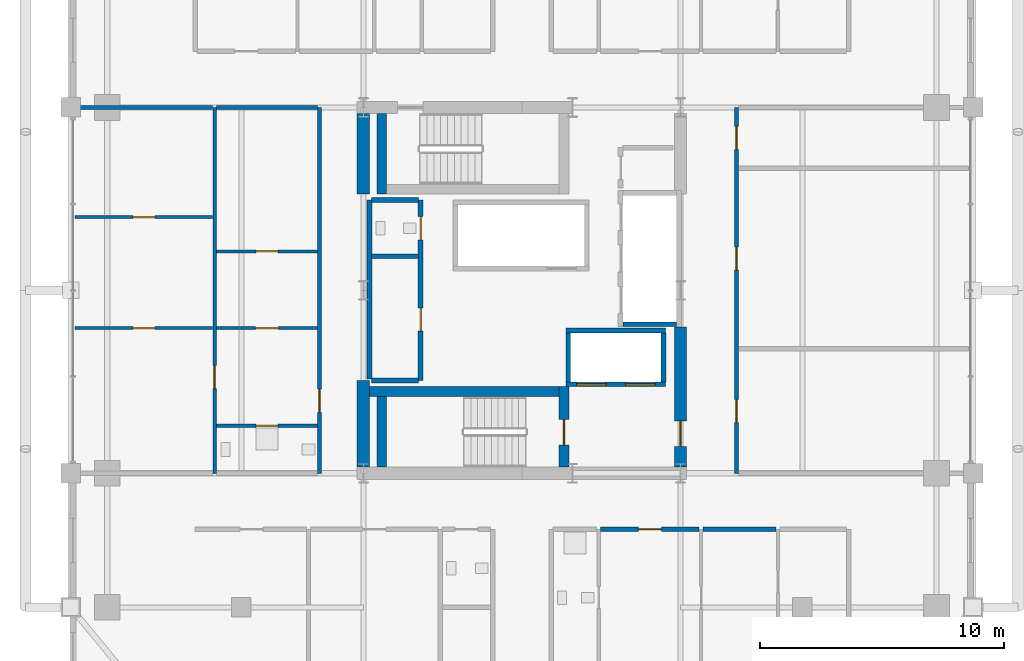
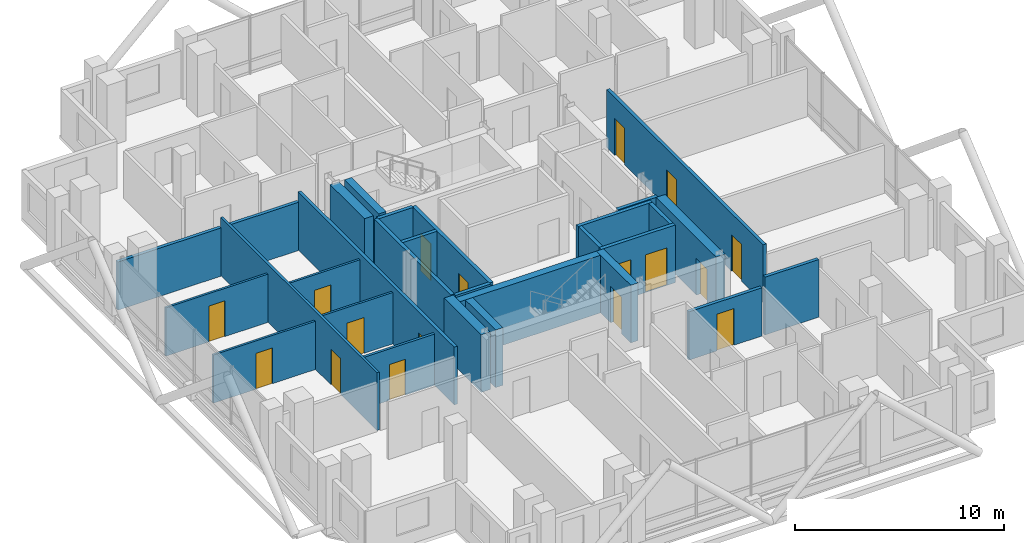
# One storey, part 21 of 26: 29 walls, 17 doors, 17 openings.
"""IFC4 building model written with IfcOpenShell, lengths in metres."""

from ifc_helpers import new_model, si_unit, direction, frame, frame_2d, origin, place, context, subcontext, project, spatial, rectangle, extrude, material, layer, layer_set, type_object, element, fill, save


model = new_model("IFC4")

# Units and contexts
model_context = context("Model", 3, precision=1e-05, world=origin(), true_north=direction((0.0, 1.0)))
body_context = subcontext(model_context, "Body", "Model", "MODEL_VIEW")
ifc_project = project(units=[si_unit("LENGTHUNIT", "METRE"), si_unit("AREAUNIT", "SQUARE_METRE"), si_unit("VOLUMEUNIT", "CUBIC_METRE"), si_unit("PLANEANGLEUNIT", "RADIAN"), si_unit("MASSUNIT", "GRAM", prefix="KILO")], contexts=[model_context])

# Site, building, storey
site_placement = place(None, origin())
site = spatial("IfcSite", under=ifc_project, at=site_placement, CompositionType="ELEMENT")
building_placement = place(site_placement, origin())
building = spatial("IfcBuilding", under=site, at=building_placement, Name="Barlavira Tower and Art Museum", CompositionType="ELEMENT")
storey_placement = place(building_placement, frame((0.0, 0.0, 187.199951171875)))
storey = spatial("IfcBuildingStorey", under=building, at=storey_placement, Name="L48", CompositionType="ELEMENT", Elevation=187.199951171875)

# Wall, opening, door
ifc_material_1 = material(Name="Gypsum acoustic stud partition", Category="gypsum")
ifc_layer_1 = layer(ifc_material_1, 0.1201171875, Name="Gypsum acoustic stud partition")
ifc_layer_set_1 = layer_set([ifc_layer_1], Name="Gypsum acoustic stud partition")
wall_type_1 = type_object("IfcWallType", Name="Apartment Internal Acoustic Partition 120", PredefinedType="PARTITIONING", material=ifc_layer_set_1)
wall_1_placement = place(storey_placement, frame((-18.320068359375, -1.550048828125, 0.0), z_axis=(0.0, 0.0, 1.0), x_axis=(1.0, 0.0, 0.0)))
wall_1 = element("IfcWall", 1, at=wall_1_placement, inside=storey, type_object=wall_type_1, Name="L48 Partition Wall 47", PredefinedType="PARTITIONING", context=body_context, shape_type="SweptSolid", body=[
    extrude(rectangle(XDim=5.64013671875, YDim=0.1201171875, at=frame_2d((2.820068359375, 0.0))), origin(), (0.0, 0.0, 1.0), 2.825927734375),
])
opening_1_placement = place(wall_1_placement, frame((2.3701171875, 0.0, 0.0)))
opening_1 = element("IfcOpeningElement", 2, at=opening_1_placement, cuts=wall_1, Name="Opening D-01", PredefinedType="OPENING", context=body_context, shape_type="SweptSolid", body=[
    extrude(rectangle(XDim=0.89990234375, YDim=2.10009765625, at=frame_2d((0.449951171875, 1.050048828125))), frame((0.0, 0.070068359375, 0.0), z_axis=(0.0, -1.0, 0.0), x_axis=(1.0, 0.0, 0.0)), (0.0, 0.0, 1.0), 0.14013671875),
])
ifc_material_2 = material(Name="Engineered coastal hardwood", Category="wood")
door_type_1 = type_object("IfcDoorType", Name="Internal Bedroom Timber Flush Door 900x2100", OperationType="NOTDEFINED", PredefinedType="DOOR", material=ifc_material_2)
door_1_placement = place(opening_1_placement, origin())
door_1 = element("IfcDoor", 3, at=door_1_placement, inside=storey, type_object=door_type_1, Name="Apartment W1 Bedroom 1 Door", OperationType="SINGLE_SWING_RIGHT", OverallHeight=2.10009765625, OverallWidth=0.89990234375, PredefinedType="DOOR", context=body_context, shape_type="SweptSolid", body=[
    extrude(rectangle(XDim=0.89990234375, YDim=2.10009765625, at=frame_2d((0.449951171875, 1.050048828125))), frame((0.0, 0.02490234375, 0.0), z_axis=(0.0, -1.0, 0.0), x_axis=(1.0, 0.0, 0.0)), (0.0, 0.0, 1.0), 0.050048828125),
])
fill(opening_1, door_1)

wall_2_placement = place(storey_placement, frame((-12.52001953125, -1.550048828125, 0.0), z_axis=(0.0, 0.0, 1.0), x_axis=(1.0, 0.0, 0.0)))
wall_2 = element("IfcWall", 4, at=wall_2_placement, inside=storey, type_object=wall_type_1, Name="L48 Partition Wall 48", PredefinedType="PARTITIONING", context=body_context, shape_type="SweptSolid", body=[
    extrude(rectangle(XDim=4.14013671875, YDim=0.1201171875, at=frame_2d((2.070068359375, 0.0))), origin(), (0.0, 0.0, 1.0), 3.010986328125),
])
opening_2_placement = place(wall_2_placement, frame((1.594970703125, 0.0, 0.0)))
opening_2 = element("IfcOpeningElement", 5, at=opening_2_placement, cuts=wall_2, Name="Opening D-02", PredefinedType="OPENING", context=body_context, shape_type="SweptSolid", body=[
    extrude(rectangle(XDim=0.949951171875, YDim=2.10009765625, at=frame_2d((0.47509765625, 1.050048828125))), frame((0.0, 0.070068359375, 0.0), z_axis=(0.0, -1.0, 0.0), x_axis=(1.0, 0.0, 0.0)), (0.0, 0.0, 1.0), 0.14013671875),
])
door_type_2 = type_object("IfcDoorType", Name="Living and Salon Glazed-Leaf Door 950x2100", OperationType="NOTDEFINED", PredefinedType="DOOR", material=ifc_material_2)
door_2_placement = place(opening_2_placement, origin())
door_2 = element("IfcDoor", 6, at=door_2_placement, inside=storey, type_object=door_type_2, Name="Apartment W1 Kitchen Door", OperationType="SINGLE_SWING_LEFT", OverallHeight=2.10009765625, OverallWidth=0.949951171875, PredefinedType="DOOR", context=body_context, shape_type="SweptSolid", body=[
    extrude(rectangle(XDim=0.949951171875, YDim=2.10009765625, at=frame_2d((0.47509765625, 1.050048828125))), frame((0.0, 0.02490234375, 0.0), z_axis=(0.0, -1.0, 0.0), x_axis=(1.0, 0.0, 0.0)), (0.0, 0.0, 1.0), 0.050048828125),
])
fill(opening_2, door_2)

wall_3_placement = place(storey_placement, frame((-12.52001953125, 1.60009765625, 0.0), z_axis=(0.0, 0.0, 1.0), x_axis=(1.0, 0.0, 0.0)))
wall_3 = element("IfcWall", 7, at=wall_3_placement, inside=storey, type_object=wall_type_1, Name="L48 Partition Wall 50", PredefinedType="PARTITIONING", context=body_context, shape_type="SweptSolid", body=[
    extrude(rectangle(XDim=4.14013671875, YDim=0.1201171875, at=frame_2d((2.070068359375, 0.0))), origin(), (0.0, 0.0, 1.0), 3.010986328125),
])
opening_3_placement = place(wall_3_placement, frame((1.6201171875, 0.0, 0.0)))
opening_3 = element("IfcOpeningElement", 8, at=opening_3_placement, cuts=wall_3, Name="Opening D-01", PredefinedType="OPENING", context=body_context, shape_type="SweptSolid", body=[
    extrude(rectangle(XDim=0.89990234375, YDim=2.10009765625, at=frame_2d((0.449951171875, 1.050048828125))), frame((0.0, 0.070068359375, 0.0), z_axis=(0.0, -1.0, 0.0), x_axis=(1.0, 0.0, 0.0)), (0.0, 0.0, 1.0), 0.14013671875),
])
door_3_placement = place(opening_3_placement, origin())
door_3 = element("IfcDoor", 9, at=door_3_placement, inside=storey, type_object=door_type_1, Name="Apartment W1 Walk-In Dressing Room Door", OperationType="SINGLE_SWING_RIGHT", OverallHeight=2.10009765625, OverallWidth=0.89990234375, PredefinedType="DOOR", context=body_context, shape_type="SweptSolid", body=[
    extrude(rectangle(XDim=0.89990234375, YDim=2.10009765625, at=frame_2d((0.449951171875, 1.050048828125))), frame((0.0, 0.02490234375, 0.0), z_axis=(0.0, -1.0, 0.0), x_axis=(1.0, 0.0, 0.0)), (0.0, 0.0, 1.0), 0.050048828125),
])
fill(opening_3, door_3)

wall_4_placement = place(storey_placement, frame((-18.320068359375, 3.0, 0.0), z_axis=(0.0, 0.0, 1.0), x_axis=(1.0, 0.0, 0.0)))
wall_4 = element("IfcWall", 10, at=wall_4_placement, inside=storey, type_object=wall_type_1, Name="L48 Partition Wall 51", PredefinedType="PARTITIONING", context=body_context, shape_type="SweptSolid", body=[
    extrude(rectangle(XDim=5.64013671875, YDim=0.1201171875, at=frame_2d((2.820068359375, 0.0))), origin(), (0.0, 0.0, 1.0), 2.825927734375),
])
opening_4_placement = place(wall_4_placement, frame((2.3701171875, 0.0, 0.0)))
opening_4 = element("IfcOpeningElement", 11, at=opening_4_placement, cuts=wall_4, Name="Opening D-01", PredefinedType="OPENING", context=body_context, shape_type="SweptSolid", body=[
    extrude(rectangle(XDim=0.89990234375, YDim=2.10009765625, at=frame_2d((0.449951171875, 1.050048828125))), frame((0.0, 0.070068359375, 0.0), z_axis=(0.0, -1.0, 0.0), x_axis=(1.0, 0.0, 0.0)), (0.0, 0.0, 1.0), 0.14013671875),
])
door_4_placement = place(opening_4_placement, origin())
door_4 = element("IfcDoor", 12, at=door_4_placement, inside=storey, type_object=door_type_1, Name="Apartment W1 Bedroom 2 Door", OperationType="SINGLE_SWING_LEFT", OverallHeight=2.10009765625, OverallWidth=0.89990234375, PredefinedType="DOOR", context=body_context, shape_type="SweptSolid", body=[
    extrude(rectangle(XDim=0.89990234375, YDim=2.10009765625, at=frame_2d((0.449951171875, 1.050048828125))), frame((0.0, 0.02490234375, 0.0), z_axis=(0.0, -1.0, 0.0), x_axis=(1.0, 0.0, 0.0)), (0.0, 0.0, 1.0), 0.050048828125),
])
fill(opening_4, door_4)

# Walls
ifc_material_3 = material(Name="Concrete C60", Category="concrete")
ifc_layer_2 = layer(ifc_material_3, 0.5, Name="Concrete C60")
ifc_layer_set_2 = layer_set([ifc_layer_2], Name="Concrete C60")
wall_type_2 = type_object("IfcWallType", Name="Core Structural Shear Wall 500 Concrete C60", PredefinedType="SHEAR", material=ifc_layer_set_2)
wall_5_placement = place(storey_placement, frame((-6.5, -7.25, 0.0), z_axis=(0.0, 0.0, 1.0), x_axis=(0.0, 1.0, 0.0)))
element("IfcWall", 13, at=wall_5_placement, inside=storey, type_object=wall_type_2, Name="L48 Core Shear Wall CS-W1", PredefinedType="SHEAR", context=body_context, shape_type="SweptSolid", body=[
    extrude(rectangle(XDim=3.550048828125, YDim=0.5, at=frame_2d((1.77490234375, 0.0))), origin(), (0.0, 0.0, 1.0), 3.380126953125),
])
wall_6_placement = place(storey_placement, frame((-6.5, 3.949951171875, 0.0), z_axis=(0.0, 0.0, 1.0), x_axis=(0.0, 1.0, 0.0)))
element("IfcWall", 14, at=wall_6_placement, inside=storey, type_object=wall_type_2, Name="L48 Core Shear Wall CS-W2", PredefinedType="SHEAR", context=body_context, shape_type="SweptSolid", body=[
    extrude(rectangle(XDim=3.300048828125, YDim=0.5, at=frame_2d((1.64990234375, 0.0))), origin(), (0.0, 0.0, 1.0), 3.380126953125),
])

# Wall, opening, door
wall_7_placement = place(storey_placement, frame((6.5, -7.25, 0.0), z_axis=(0.0, 0.0, 1.0), x_axis=(0.0, 1.0, 0.0)))
wall_7 = element("IfcWall", 15, at=wall_7_placement, inside=storey, type_object=wall_type_2, Name="L48 Core Shear Wall CS-E1", PredefinedType="SHEAR", context=body_context, shape_type="SweptSolid", body=[
    extrude(rectangle(XDim=5.75, YDim=0.5, at=frame_2d((2.875, 0.0))), origin(), (0.0, 0.0, 1.0), 3.380126953125),
])
opening_5_placement = place(wall_7_placement, frame((0.85009765625, 0.0, 0.0)))
opening_5 = element("IfcOpeningElement", 16, at=opening_5_placement, cuts=wall_7, Name="Opening FD-90", PredefinedType="OPENING", context=body_context, shape_type="SweptSolid", body=[
    extrude(rectangle(XDim=1.050048828125, YDim=2.14990234375, at=frame_2d((0.52490234375, 1.074951171875))), frame((0.0, 0.260009765625, 0.0), z_axis=(0.0, -1.0, 0.0), x_axis=(1.0, 0.0, 0.0)), (0.0, 0.0, 1.0), 0.52001953125),
])
ifc_material_4 = material(Name="Brushed stainless steel", Category="steel")
door_type_3 = type_object("IfcDoorType", Name="Stair and Refuge Fire Door 1050x2150 FD90S", OperationType="NOTDEFINED", PredefinedType="DOOR", material=ifc_material_4)
door_5_placement = place(opening_5_placement, origin())
door_5 = element("IfcDoor", 17, at=door_5_placement, inside=storey, type_object=door_type_3, Name="L48 Firefighting Lobby Entry Fire Door", OperationType="SINGLE_SWING_LEFT", OverallHeight=2.14990234375, OverallWidth=1.050048828125, PredefinedType="DOOR", context=body_context, shape_type="SweptSolid", body=[
    extrude(rectangle(XDim=1.050048828125, YDim=2.14990234375, at=frame_2d((0.52490234375, 1.074951171875))), frame((0.0, 0.02490234375, 0.0), z_axis=(0.0, -1.0, 0.0), x_axis=(1.0, 0.0, 0.0)), (0.0, 0.0, 1.0), 0.050048828125),
])
fill(opening_5, door_5)

# Wall
ifc_material_5 = material(Name="Autoclaved aerated concrete masonry", Category="masonry")
ifc_layer_3 = layer(ifc_material_5, 0.199951171875, Name="Autoclaved aerated concrete masonry")
ifc_layer_set_3 = layer_set([ifc_layer_3], Name="Autoclaved aerated concrete masonry")
wall_type_3 = type_object("IfcWallType", Name="Fire Compartment and Shaft Wall 200", PredefinedType="SOLIDWALL", material=ifc_layer_set_3)
wall_8_placement = place(storey_placement, frame((4.14990234375, -1.389892578125, 0.0), z_axis=(0.0, 0.0, 1.0), x_axis=(1.0, 0.0, 0.0)))
element("IfcWall", 18, at=wall_8_placement, inside=storey, type_object=wall_type_3, Name="L48 Mid-Rise Lift South Shaft Wall", PredefinedType="SOLIDWALL", context=body_context, shape_type="SweptSolid", body=[
    extrude(rectangle(XDim=2.2001953125, YDim=0.199951171875, at=frame_2d((1.10009765625, 0.0))), origin(), (0.0, 0.0, 1.0), 3.380126953125),
])

# Wall, openings, doors
wall_9_placement = place(storey_placement, frame((1.800048828125, -3.85009765625, 0.0), z_axis=(0.0, 0.0, 1.0), x_axis=(1.0, 0.0, 0.0)))
wall_9 = element("IfcWall", 19, at=wall_9_placement, inside=storey, type_object=wall_type_3, Name="L48 Firefighting Lift Front Shaft Wall", PredefinedType="SOLIDWALL", context=body_context, shape_type="SweptSolid", body=[
    extrude(rectangle(XDim=4.099853515625, YDim=0.199951171875, at=frame_2d((2.0498046875, 0.0))), origin(), (0.0, 0.0, 1.0), 3.380126953125),
])
opening_6_placement = place(wall_9_placement, frame((0.449951171875, 0.0, 0.0)))
opening_6 = element("IfcOpeningElement", 20, at=opening_6_placement, cuts=wall_9, Name="Opening LD-F", PredefinedType="OPENING", context=body_context, shape_type="SweptSolid", body=[
    extrude(rectangle(XDim=1.199951171875, YDim=2.199951171875, at=frame_2d((0.60009765625, 1.10009765625))), frame((0.0, 0.10986328125, 0.0), z_axis=(0.0, -1.0, 0.0), x_axis=(1.0, 0.0, 0.0)), (0.0, 0.0, 1.0), 0.219970703125),
])
opening_7_placement = place(wall_9_placement, frame((2.449951171875, 0.0, 0.0)))
opening_7 = element("IfcOpeningElement", 21, at=opening_7_placement, cuts=wall_9, Name="Opening LD-F", PredefinedType="OPENING", context=body_context, shape_type="SweptSolid", body=[
    extrude(rectangle(XDim=1.199951171875, YDim=2.199951171875, at=frame_2d((0.60009765625, 1.10009765625))), frame((0.0, 0.10986328125, 0.0), z_axis=(0.0, -1.0, 0.0), x_axis=(1.0, 0.0, 0.0)), (0.0, 0.0, 1.0), 0.219970703125),
])
door_type_4 = type_object("IfcDoorType", Name="Firefighting and Service Lift Sliding Door 1200x2200 FD120", OperationType="NOTDEFINED", PredefinedType="DOOR", material=ifc_material_4)
door_6_placement = place(opening_6_placement, origin())
door_6 = element("IfcDoor", 22, at=door_6_placement, inside=storey, type_object=door_type_4, Name="L48 Firefighting Lift FF1 Sliding Door", OperationType="DOUBLE_DOOR_SLIDING", OverallHeight=2.199951171875, OverallWidth=1.199951171875, PredefinedType="DOOR", context=body_context, shape_type="SweptSolid", body=[
    extrude(rectangle(XDim=1.199951171875, YDim=2.199951171875, at=frame_2d((0.60009765625, 1.10009765625))), frame((0.0, 0.02490234375, 0.0), z_axis=(0.0, -1.0, 0.0), x_axis=(1.0, 0.0, 0.0)), (0.0, 0.0, 1.0), 0.050048828125),
])
fill(opening_6, door_6)
door_7_placement = place(opening_7_placement, origin())
door_7 = element("IfcDoor", 23, at=door_7_placement, inside=storey, type_object=door_type_4, Name="L48 Firefighting Lift FF2 Sliding Door", OperationType="DOUBLE_DOOR_SLIDING", OverallHeight=2.199951171875, OverallWidth=1.199951171875, PredefinedType="DOOR", context=body_context, shape_type="SweptSolid", body=[
    extrude(rectangle(XDim=1.199951171875, YDim=2.199951171875, at=frame_2d((0.60009765625, 1.10009765625))), frame((0.0, 0.02490234375, 0.0), z_axis=(0.0, -1.0, 0.0), x_axis=(1.0, 0.0, 0.0)), (0.0, 0.0, 1.0), 0.050048828125),
])
fill(opening_7, door_7)

# Walls
wall_10_placement = place(storey_placement, frame((1.800048828125, -1.64990234375, 0.0), z_axis=(0.0, 0.0, 1.0), x_axis=(1.0, 0.0, 0.0)))
element("IfcWall", 24, at=wall_10_placement, inside=storey, type_object=wall_type_3, Name="L48 Firefighting Lift Back Shaft Wall", PredefinedType="SOLIDWALL", context=body_context, shape_type="SweptSolid", body=[
    extrude(rectangle(XDim=4.099853515625, YDim=0.199951171875, at=frame_2d((2.0498046875, 0.0))), origin(), (0.0, 0.0, 1.0), 3.380126953125),
])
for number, where, z_axis, x_axis, name in (
    (25, (1.89990234375, -3.75, 0.0), (0.0, 0.0, 1.0), (0.0, 1.0, 0.0), "L48 Firefighting Lift West Shaft Wall"),
    (26, (5.800048828125, -3.75, 0.0), (0.0, 0.0, 1.0), (0.0, 1.0, 0.0), "L48 Firefighting Lift East Shaft Wall"),
):
    element("IfcWall", number, at=place(storey_placement, frame(where, z_axis=z_axis, x_axis=x_axis)), inside=storey, type_object=wall_type_3, Name=name, PredefinedType="SOLIDWALL", context=body_context, shape_type="SweptSolid", body=[
        extrude(rectangle(XDim=2.0, YDim=0.199951171875, at=frame_2d((1.0, 0.0))), origin(), (0.0, 0.0, 1.0), 3.380126953125),
    ])
wall_11_placement = place(storey_placement, frame((-6.25, -3.639892578125, 0.0), z_axis=(0.0, 0.0, 1.0), x_axis=(0.0, 1.0, 0.0)))
element("IfcWall", 27, at=wall_11_placement, inside=storey, type_object=wall_type_3, Name="L48 Partition Wall 6", PredefinedType="SOLIDWALL", context=body_context, shape_type="SweptSolid", body=[
    extrude(rectangle(XDim=7.33984375, YDim=0.199951171875, at=frame_2d((3.669921875, 0.0))), origin(), (0.0, 0.0, 1.0), 3.380126953125),
])

# Wall, openings, doors
wall_12_placement = place(storey_placement, frame((-4.14990234375, -3.699951171875, 0.0), z_axis=(0.0, 0.0, 1.0), x_axis=(0.0, 1.0, 0.0)))
wall_12 = element("IfcWall", 28, at=wall_12_placement, inside=storey, type_object=wall_type_3, Name="L48 Partition Wall 8", PredefinedType="SOLIDWALL", context=body_context, shape_type="SweptSolid", body=[
    extrude(rectangle(XDim=7.39990234375, YDim=0.199951171875, at=frame_2d((3.699951171875, 0.0))), origin(), (0.0, 0.0, 1.0), 3.380126953125),
])
opening_8_placement = place(wall_12_placement, frame((2.02490234375, 0.0, 0.0)))
opening_8 = element("IfcOpeningElement", 29, at=opening_8_placement, cuts=wall_12, Name="Opening FD-60", PredefinedType="OPENING", context=body_context, shape_type="SweptSolid", body=[
    extrude(rectangle(XDim=0.949951171875, YDim=2.14990234375, at=frame_2d((0.47509765625, 1.074951171875))), frame((0.0, 0.10986328125, 0.0), z_axis=(0.0, -1.0, 0.0), x_axis=(1.0, 0.0, 0.0)), (0.0, 0.0, 1.0), 0.219970703125),
])
opening_9_placement = place(wall_12_placement, frame((5.77490234375, 0.0, 0.0)))
opening_9 = element("IfcOpeningElement", 30, at=opening_9_placement, cuts=wall_12, Name="Opening FD-60", PredefinedType="OPENING", context=body_context, shape_type="SweptSolid", body=[
    extrude(rectangle(XDim=0.949951171875, YDim=2.14990234375, at=frame_2d((0.47509765625, 1.074951171875))), frame((0.0, 0.10986328125, 0.0), z_axis=(0.0, -1.0, 0.0), x_axis=(1.0, 0.0, 0.0)), (0.0, 0.0, 1.0), 0.219970703125),
])
door_type_5 = type_object("IfcDoorType", Name="Apartment Entrance and Riser Fire Door 950x2150 FD60S", OperationType="NOTDEFINED", PredefinedType="DOOR", material=ifc_material_4)
door_8_placement = place(opening_8_placement, origin())
door_8 = element("IfcDoor", 31, at=door_8_placement, inside=storey, type_object=door_type_5, Name="Reclaimed Core Resident Parcel Room Door", OperationType="SINGLE_SWING_RIGHT", OverallHeight=2.14990234375, OverallWidth=0.949951171875, PredefinedType="DOOR", context=body_context, shape_type="SweptSolid", body=[
    extrude(rectangle(XDim=0.949951171875, YDim=2.14990234375, at=frame_2d((0.47509765625, 1.074951171875))), frame((0.0, 0.02490234375, 0.0), z_axis=(0.0, -1.0, 0.0), x_axis=(1.0, 0.0, 0.0)), (0.0, 0.0, 1.0), 0.050048828125),
])
fill(opening_8, door_8)
door_9_placement = place(opening_9_placement, origin())
door_9 = element("IfcDoor", 32, at=door_9_placement, inside=storey, type_object=door_type_5, Name="Reclaimed Core Accessible WC Door", OperationType="SINGLE_SWING_LEFT", OverallHeight=2.14990234375, OverallWidth=0.949951171875, PredefinedType="DOOR", context=body_context, shape_type="SweptSolid", body=[
    extrude(rectangle(XDim=0.949951171875, YDim=2.14990234375, at=frame_2d((0.47509765625, 1.074951171875))), frame((0.0, 0.02490234375, 0.0), z_axis=(0.0, -1.0, 0.0), x_axis=(1.0, 0.0, 0.0)), (0.0, 0.0, 1.0), 0.050048828125),
])
fill(opening_9, door_9)

# Walls
for number, where, z_axis, x_axis, name in (
    (33, (-6.169921875, -3.699951171875, 0.0), (0.0, 0.0, 1.0), (1.0, 0.0, 0.0), "L48 Partition Wall 45"),
    (34, (-6.169921875, 1.39990234375, 0.0), (0.0, 0.0, 1.0), (1.0, 0.0, 0.0), "L48 Partition Wall 49"),
    (35, (-6.169921875, 3.699951171875, 0.0), (0.0, 0.0, 1.0), (1.0, 0.0, 0.0), "L48 Partition Wall 52"),
):
    element("IfcWall", number, at=place(storey_placement, frame(where, z_axis=z_axis, x_axis=x_axis)), inside=storey, type_object=wall_type_3, Name=name, PredefinedType="SOLIDWALL", context=body_context, shape_type="SweptSolid", body=[
        extrude(rectangle(XDim=1.93994140625, YDim=0.199951171875, at=frame_2d((0.969970703125, 0.0))), origin(), (0.0, 0.0, 1.0), 3.380126953125),
    ])

# Wall, opening, door
ifc_layer_4 = layer(ifc_material_1, 0.179931640625, Name="Gypsum acoustic stud partition")
ifc_layer_set_4 = layer_set([ifc_layer_4], Name="Gypsum acoustic stud partition")
wall_type_4 = type_object("IfcWallType", Name="Inter-Tenancy Party Partition Wall 180", PredefinedType="PARTITIONING", material=ifc_layer_set_4)
wall_13_placement = place(storey_placement, frame((-8.300048828125, -7.5, 0.0), z_axis=(0.0, 0.0, 1.0), x_axis=(0.0, 1.0, 0.0)))
wall_13 = element("IfcWall", 36, at=wall_13_placement, inside=storey, type_object=wall_type_4, Name="L48 Partition Wall 5", PredefinedType="PARTITIONING", context=body_context, shape_type="SweptSolid", body=[
    extrude(rectangle(XDim=15.0, YDim=0.179931640625, at=frame_2d((7.5, 0.0))), origin(), (0.0, 0.0, 1.0), 3.380126953125),
])
opening_10_placement = place(wall_13_placement, frame((2.4951171875, 0.0, 0.0)))
opening_10 = element("IfcOpeningElement", 37, at=opening_10_placement, cuts=wall_13, Name="Opening FD-60", PredefinedType="OPENING", context=body_context, shape_type="SweptSolid", body=[
    extrude(rectangle(XDim=0.949951171875, YDim=2.14990234375, at=frame_2d((0.47509765625, 1.074951171875))), frame((0.0, 0.10009765625, 0.0), z_axis=(0.0, -1.0, 0.0), x_axis=(1.0, 0.0, 0.0)), (0.0, 0.0, 1.0), 0.199951171875),
])
door_10_placement = place(opening_10_placement, origin())
door_10 = element("IfcDoor", 38, at=door_10_placement, inside=storey, type_object=door_type_5, Name="Apartment Entrance Hall W1 Door", OperationType="SINGLE_SWING_RIGHT", OverallHeight=2.14990234375, OverallWidth=0.949951171875, PredefinedType="DOOR", context=body_context, shape_type="SweptSolid", body=[
    extrude(rectangle(XDim=0.949951171875, YDim=2.14990234375, at=frame_2d((0.47509765625, 1.074951171875))), frame((0.0, 0.02490234375, 0.0), z_axis=(0.0, -1.0, 0.0), x_axis=(1.0, 0.0, 0.0)), (0.0, 0.0, 1.0), 0.050048828125),
])
fill(opening_10, door_10)

# Wall, openings, doors
wall_14_placement = place(storey_placement, frame((8.800048828125, -7.5, 0.0), z_axis=(0.0, 0.0, 1.0), x_axis=(0.0, 1.0, 0.0)))
wall_14 = element("IfcWall", 39, at=wall_14_placement, inside=storey, type_object=wall_type_4, Name="L48 Partition Wall 22", PredefinedType="PARTITIONING", context=body_context, shape_type="SweptSolid", body=[
    extrude(rectangle(XDim=15.0, YDim=0.179931640625, at=frame_2d((7.5, 0.0))), origin(), (0.0, 0.0, 1.0), 3.380126953125),
])
opening_11_placement = place(wall_14_placement, frame((2.074951171875, 0.0, 0.0)))
opening_11 = element("IfcOpeningElement", 40, at=opening_11_placement, cuts=wall_14, Name="Opening FD-60", PredefinedType="OPENING", context=body_context, shape_type="SweptSolid", body=[
    extrude(rectangle(XDim=0.949951171875, YDim=2.14990234375, at=frame_2d((0.47509765625, 1.074951171875))), frame((0.0, 0.10009765625, 0.0), z_axis=(0.0, -1.0, 0.0), x_axis=(1.0, 0.0, 0.0)), (0.0, 0.0, 1.0), 0.199951171875),
])
opening_12_placement = place(wall_14_placement, frame((8.324951171875, 0.0, 0.0)))
opening_12 = element("IfcOpeningElement", 41, at=opening_12_placement, cuts=wall_14, Name="Opening FD-60", PredefinedType="OPENING", context=body_context, shape_type="SweptSolid", body=[
    extrude(rectangle(XDim=0.949951171875, YDim=2.14990234375, at=frame_2d((0.47509765625, 1.074951171875))), frame((0.0, 0.10009765625, 0.0), z_axis=(0.0, -1.0, 0.0), x_axis=(1.0, 0.0, 0.0)), (0.0, 0.0, 1.0), 0.199951171875),
])
opening_13_placement = place(wall_14_placement, frame((13.27490234375, 0.0, 0.0)))
opening_13 = element("IfcOpeningElement", 42, at=opening_13_placement, cuts=wall_14, Name="Opening FD-60", PredefinedType="OPENING", context=body_context, shape_type="SweptSolid", body=[
    extrude(rectangle(XDim=0.949951171875, YDim=2.14990234375, at=frame_2d((0.47509765625, 1.074951171875))), frame((0.0, 0.10009765625, 0.0), z_axis=(0.0, -1.0, 0.0), x_axis=(1.0, 0.0, 0.0)), (0.0, 0.0, 1.0), 0.199951171875),
])
door_11_placement = place(opening_11_placement, origin())
door_11 = element("IfcDoor", 43, at=door_11_placement, inside=storey, type_object=door_type_5, Name="Resident Art Collectors Salon Door", OperationType="SINGLE_SWING_RIGHT", OverallHeight=2.14990234375, OverallWidth=0.949951171875, PredefinedType="DOOR", context=body_context, shape_type="SweptSolid", body=[
    extrude(rectangle(XDim=0.949951171875, YDim=2.14990234375, at=frame_2d((0.47509765625, 1.074951171875))), frame((0.0, 0.02490234375, 0.0), z_axis=(0.0, -1.0, 0.0), x_axis=(1.0, 0.0, 0.0)), (0.0, 0.0, 1.0), 0.050048828125),
])
fill(opening_11, door_11)
door_12_placement = place(opening_12_placement, origin())
door_12 = element("IfcDoor", 44, at=door_12_placement, inside=storey, type_object=door_type_5, Name="Sculpture and Painting Workshop Door", OperationType="SINGLE_SWING_LEFT", OverallHeight=2.14990234375, OverallWidth=0.949951171875, PredefinedType="DOOR", context=body_context, shape_type="SweptSolid", body=[
    extrude(rectangle(XDim=0.949951171875, YDim=2.14990234375, at=frame_2d((0.47509765625, 1.074951171875))), frame((0.0, 0.02490234375, 0.0), z_axis=(0.0, -1.0, 0.0), x_axis=(1.0, 0.0, 0.0)), (0.0, 0.0, 1.0), 0.050048828125),
])
fill(opening_12, door_12)
door_13_placement = place(opening_13_placement, origin())
door_13 = element("IfcDoor", 45, at=door_13_placement, inside=storey, type_object=door_type_5, Name="Climate-Controlled Wine Tasting Room Door", OperationType="SINGLE_SWING_RIGHT", OverallHeight=2.14990234375, OverallWidth=0.949951171875, PredefinedType="DOOR", context=body_context, shape_type="SweptSolid", body=[
    extrude(rectangle(XDim=0.949951171875, YDim=2.14990234375, at=frame_2d((0.47509765625, 1.074951171875))), frame((0.0, 0.02490234375, 0.0), z_axis=(0.0, -1.0, 0.0), x_axis=(1.0, 0.0, 0.0)), (0.0, 0.0, 1.0), 0.050048828125),
])
fill(opening_13, door_13)

# Wall, opening, door
wall_15_placement = place(storey_placement, frame((3.22998046875, -9.800048828125, 0.0), z_axis=(0.0, 0.0, 1.0), x_axis=(1.0, 0.0, 0.0)))
wall_15 = element("IfcWall", 46, at=wall_15_placement, inside=storey, type_object=wall_type_4, Name="L48 Partition Wall 38", PredefinedType="PARTITIONING", context=body_context, shape_type="SweptSolid", body=[
    extrude(rectangle(XDim=4.0400390625, YDim=0.179931640625, at=frame_2d((2.02001953125, 0.0))), origin(), (0.0, 0.0, 1.0), 2.825927734375),
])
opening_14_placement = place(wall_15_placement, frame((1.544921875, 0.0, 0.0)))
opening_14 = element("IfcOpeningElement", 47, at=opening_14_placement, cuts=wall_15, Name="Opening FD-60", PredefinedType="OPENING", context=body_context, shape_type="SweptSolid", body=[
    extrude(rectangle(XDim=0.949951171875, YDim=2.14990234375, at=frame_2d((0.47509765625, 1.074951171875))), frame((0.0, 0.10009765625, 0.0), z_axis=(0.0, -1.0, 0.0), x_axis=(1.0, 0.0, 0.0)), (0.0, 0.0, 1.0), 0.199951171875),
])
door_14_placement = place(opening_14_placement, origin())
door_14 = element("IfcDoor", 48, at=door_14_placement, inside=storey, type_object=door_type_5, Name="Apartment Entrance Hall SE1 Door", OperationType="SINGLE_SWING_LEFT", OverallHeight=2.14990234375, OverallWidth=0.949951171875, PredefinedType="DOOR", context=body_context, shape_type="SweptSolid", body=[
    extrude(rectangle(XDim=0.949951171875, YDim=2.14990234375, at=frame_2d((0.47509765625, 1.074951171875))), frame((0.0, 0.02490234375, 0.0), z_axis=(0.0, -1.0, 0.0), x_axis=(1.0, 0.0, 0.0)), (0.0, 0.0, 1.0), 0.050048828125),
])
fill(opening_14, door_14)

# Walls
wall_16_placement = place(storey_placement, frame((7.429931640625, -9.800048828125, 0.0), z_axis=(0.0, 0.0, 1.0), x_axis=(1.0, 0.0, 0.0)))
element("IfcWall", 49, at=wall_16_placement, inside=storey, type_object=wall_type_4, Name="L48 Partition Wall 39", PredefinedType="PARTITIONING", context=body_context, shape_type="SweptSolid", body=[
    extrude(rectangle(XDim=2.989990234375, YDim=0.179931640625, at=frame_2d((1.4951171875, 0.0))), origin(), (0.0, 0.0, 1.0), 3.380126953125),
])
wall_17_placement = place(storey_placement, frame((-18.39990234375, 7.5, 0.0), z_axis=(0.0, 0.0, 1.0), x_axis=(1.0, 0.0, 0.0)))
element("IfcWall", 50, at=wall_17_placement, inside=storey, type_object=wall_type_4, Name="L48 Partition Wall 55", PredefinedType="PARTITIONING", context=body_context, shape_type="SweptSolid", body=[
    extrude(rectangle(XDim=5.719970703125, YDim=0.179931640625, at=frame_2d((2.85986328125, 0.0))), origin(), (0.0, 0.0, 1.0), 2.825927734375),
])
wall_18_placement = place(storey_placement, frame((-12.52001953125, 7.5, 0.0), z_axis=(0.0, 0.0, 1.0), x_axis=(1.0, 0.0, 0.0)))
element("IfcWall", 51, at=wall_18_placement, inside=storey, type_object=wall_type_4, Name="L48 Partition Wall 56", PredefinedType="PARTITIONING", context=body_context, shape_type="SweptSolid", body=[
    extrude(rectangle(XDim=4.14013671875, YDim=0.179931640625, at=frame_2d((2.070068359375, 0.0))), origin(), (0.0, 0.0, 1.0), 2.825927734375),
])

# Wall, opening, door
ifc_layer_5 = layer(ifc_material_1, 0.139892578125, Name="Gypsum acoustic stud partition")
ifc_layer_set_5 = layer_set([ifc_layer_5], Name="Gypsum acoustic stud partition")
wall_type_5 = type_object("IfcWallType", Name="Moisture-Resistant Bathroom Partition 140", PredefinedType="PARTITIONING", material=ifc_layer_set_5)
wall_19_placement = place(storey_placement, frame((-12.60009765625, -7.5, 0.0), z_axis=(0.0, 0.0, 1.0), x_axis=(0.0, 1.0, 0.0)))
wall_19 = element("IfcWall", 52, at=wall_19_placement, inside=storey, type_object=wall_type_5, Name="L48 Partition Wall 2", PredefinedType="PARTITIONING", context=body_context, shape_type="SweptSolid", body=[
    extrude(rectangle(XDim=15.0, YDim=0.139892578125, at=frame_2d((7.5, 0.0))), origin(), (0.0, 0.0, 1.0), 3.380126953125),
])
opening_15_placement = place(wall_19_placement, frame((3.47509765625, 0.0, 0.0)))
opening_15 = element("IfcOpeningElement", 53, at=opening_15_placement, cuts=wall_19, Name="Opening D-02", PredefinedType="OPENING", context=body_context, shape_type="SweptSolid", body=[
    extrude(rectangle(XDim=0.949951171875, YDim=2.10009765625, at=frame_2d((0.47509765625, 1.050048828125))), frame((0.0, 0.080078125, 0.0), z_axis=(0.0, -1.0, 0.0), x_axis=(1.0, 0.0, 0.0)), (0.0, 0.0, 1.0), 0.159912109375),
])
door_15_placement = place(opening_15_placement, origin())
door_15 = element("IfcDoor", 54, at=door_15_placement, inside=storey, type_object=door_type_2, Name="Apartment W1 Living Lounge Door", OperationType="SINGLE_SWING_LEFT", OverallHeight=2.10009765625, OverallWidth=0.949951171875, PredefinedType="DOOR", context=body_context, shape_type="SweptSolid", body=[
    extrude(rectangle(XDim=0.949951171875, YDim=2.10009765625, at=frame_2d((0.47509765625, 1.050048828125))), frame((0.0, 0.02490234375, 0.0), z_axis=(0.0, -1.0, 0.0), x_axis=(1.0, 0.0, 0.0)), (0.0, 0.0, 1.0), 0.050048828125),
])
fill(opening_15, door_15)

wall_20_placement = place(storey_placement, frame((-12.52001953125, -5.550048828125, 0.0), z_axis=(0.0, 0.0, 1.0), x_axis=(1.0, 0.0, 0.0)))
wall_20 = element("IfcWall", 55, at=wall_20_placement, inside=storey, type_object=wall_type_5, Name="L48 Partition Wall 44", PredefinedType="PARTITIONING", context=body_context, shape_type="SweptSolid", body=[
    extrude(rectangle(XDim=4.14013671875, YDim=0.139892578125, at=frame_2d((2.070068359375, 0.0))), origin(), (0.0, 0.0, 1.0), 3.010986328125),
])
opening_16_placement = place(wall_20_placement, frame((1.6201171875, 0.0, 0.0)))
opening_16 = element("IfcOpeningElement", 56, at=opening_16_placement, cuts=wall_20, Name="Opening D-WC", PredefinedType="OPENING", context=body_context, shape_type="SweptSolid", body=[
    extrude(rectangle(XDim=0.89990234375, YDim=2.10009765625, at=frame_2d((0.449951171875, 1.050048828125))), frame((0.0, 0.080078125, 0.0), z_axis=(0.0, -1.0, 0.0), x_axis=(1.0, 0.0, 0.0)), (0.0, 0.0, 1.0), 0.159912109375),
])
door_type_6 = type_object("IfcDoorType", Name="Accessible Bathroom Flush Door 900x2100", OperationType="NOTDEFINED", PredefinedType="DOOR", material=ifc_material_2)
door_16_placement = place(opening_16_placement, origin())
door_16 = element("IfcDoor", 57, at=door_16_placement, inside=storey, type_object=door_type_6, Name="Apartment W1 Hall Bathroom Door", OperationType="SINGLE_SWING_LEFT", OverallHeight=2.10009765625, OverallWidth=0.89990234375, PredefinedType="DOOR", context=body_context, shape_type="SweptSolid", body=[
    extrude(rectangle(XDim=0.89990234375, YDim=2.10009765625, at=frame_2d((0.449951171875, 1.050048828125))), frame((0.0, 0.02490234375, 0.0), z_axis=(0.0, -1.0, 0.0), x_axis=(1.0, 0.0, 0.0)), (0.0, 0.0, 1.0), 0.050048828125),
])
fill(opening_16, door_16)

# Walls
ifc_material_6 = material(Name="Concrete C55", Category="concrete")
ifc_layer_6 = layer(ifc_material_6, 0.39990234375, Name="Concrete C55")
ifc_layer_set_6 = layer_set([ifc_layer_6], Name="Concrete C55")
wall_type_6 = type_object("IfcWallType", Name="Upper Core Shear Wall 400 Concrete C55", PredefinedType="SHEAR", material=ifc_layer_set_6)
wall_21_placement = place(storey_placement, frame((-5.75, -7.25, 0.0), z_axis=(0.0, 0.0, 1.0), x_axis=(0.0, 1.0, 0.0)))
element("IfcWall", 58, at=wall_21_placement, inside=storey, type_object=wall_type_6, Name="L48 ST-T1 West Half-Landing Wall", PredefinedType="SHEAR", context=body_context, shape_type="SweptSolid", body=[
    extrude(rectangle(XDim=2.89990234375, YDim=0.39990234375, at=frame_2d((1.449951171875, 0.0))), origin(), (0.0, 0.0, 1.0), 3.380126953125),
])
wall_22_placement = place(storey_placement, frame((-6.25, -4.14990234375, 0.0), z_axis=(0.0, 0.0, 1.0), x_axis=(1.0, 0.0, 0.0)))
element("IfcWall", 59, at=wall_22_placement, inside=storey, type_object=wall_type_6, Name="L48 ST-T1 North Shaft Wall", PredefinedType="SHEAR", context=body_context, shape_type="SweptSolid", body=[
    extrude(rectangle(XDim=7.780029296875, YDim=0.39990234375, at=frame_2d((3.89013671875, 0.0))), origin(), (0.0, 0.0, 1.0), 3.380126953125),
])

# Wall, opening, door
wall_23_placement = place(storey_placement, frame((1.72998046875, -7.25, 0.0), z_axis=(0.0, 0.0, 1.0), x_axis=(0.0, 1.0, 0.0)))
wall_23 = element("IfcWall", 60, at=wall_23_placement, inside=storey, type_object=wall_type_6, Name="L48 ST-T1 East Landing Wall", PredefinedType="SHEAR", context=body_context, shape_type="SweptSolid", body=[
    extrude(rectangle(XDim=3.300048828125, YDim=0.39990234375, at=frame_2d((1.64990234375, 0.0))), origin(), (0.0, 0.0, 1.0), 3.380126953125),
])
opening_17_placement = place(wall_23_placement, frame((0.89990234375, 0.0, 0.0)))
opening_17 = element("IfcOpeningElement", 61, at=opening_17_placement, cuts=wall_23, Name="Opening FD-90", PredefinedType="OPENING", context=body_context, shape_type="SweptSolid", body=[
    extrude(rectangle(XDim=1.050048828125, YDim=2.14990234375, at=frame_2d((0.52490234375, 1.074951171875))), frame((0.0, 0.2099609375, 0.0), z_axis=(0.0, -1.0, 0.0), x_axis=(1.0, 0.0, 0.0)), (0.0, 0.0, 1.0), 0.419921875),
])
door_17_placement = place(opening_17_placement, origin())
door_17 = element("IfcDoor", 62, at=door_17_placement, inside=storey, type_object=door_type_3, Name="L48 Stair ST-T1 Fire Door", OperationType="SINGLE_SWING_RIGHT", OverallHeight=2.14990234375, OverallWidth=1.050048828125, PredefinedType="DOOR", context=body_context, shape_type="SweptSolid", body=[
    extrude(rectangle(XDim=1.050048828125, YDim=2.14990234375, at=frame_2d((0.52490234375, 1.074951171875))), frame((0.0, 0.02490234375, 0.0), z_axis=(0.0, -1.0, 0.0), x_axis=(1.0, 0.0, 0.0)), (0.0, 0.0, 1.0), 0.050048828125),
])
fill(opening_17, door_17)

# Wall
wall_24_placement = place(storey_placement, frame((-5.75, 3.949951171875, 0.0), z_axis=(0.0, 0.0, 1.0), x_axis=(0.0, 1.0, 0.0)))
element("IfcWall", 63, at=wall_24_placement, inside=storey, type_object=wall_type_6, Name="L48 ST-T2 West Shaft Wall", PredefinedType="SHEAR", context=body_context, shape_type="SweptSolid", body=[
    extrude(rectangle(XDim=3.300048828125, YDim=0.39990234375, at=frame_2d((1.64990234375, 0.0))), origin(), (0.0, 0.0, 1.0), 3.380126953125),
])

save(model, "model.ifc")
